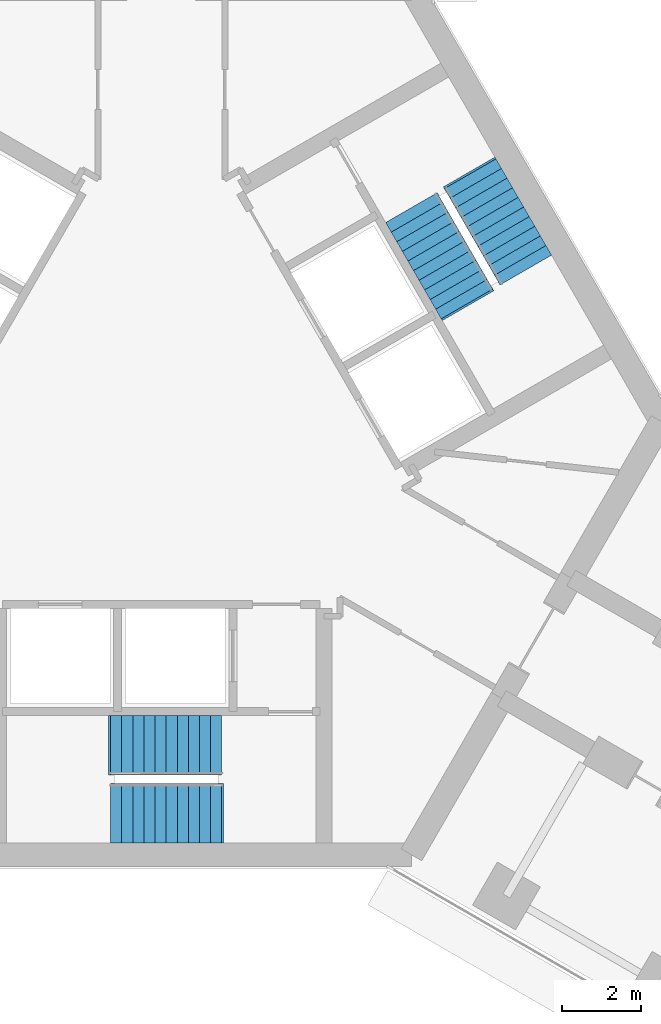
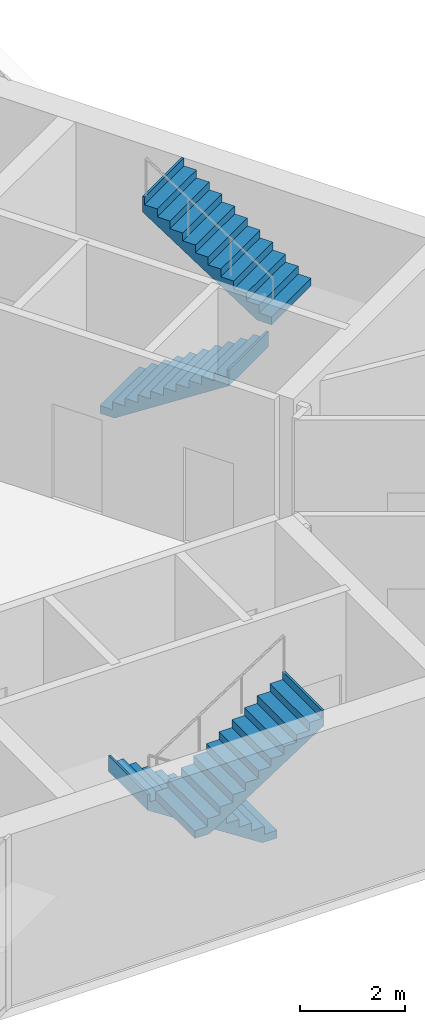
# One storey, part 22 of 23: 4 stair flights, 2 elements without a shape of their own.
"""IFC4 building model written with IfcOpenShell, lengths in metres."""

from ifc_helpers import new_model, si_unit, direction, frame, origin, place, context, subcontext, project, spatial, polyline, outline, extrude, material, type_object, element, aggregate, save


model = new_model("IFC4")

# Units and contexts
model_context = context("Model", 3, precision=1e-05, world=origin(), true_north=direction((0.0, 1.0)))
body_context = subcontext(model_context, "Body", "Model", "MODEL_VIEW")
ifc_project = project(units=[si_unit("LENGTHUNIT", "METRE"), si_unit("AREAUNIT", "SQUARE_METRE"), si_unit("VOLUMEUNIT", "CUBIC_METRE"), si_unit("PLANEANGLEUNIT", "RADIAN"), si_unit("MASSUNIT", "GRAM", prefix="KILO")], contexts=[model_context])

# Site, building, storey
site_placement = place(None, origin())
site = spatial("IfcSite", under=ifc_project, at=site_placement, CompositionType="ELEMENT")
building_placement = place(site_placement, origin())
building = spatial("IfcBuilding", under=site, at=building_placement, Name="Upepo Twin Towers", CompositionType="ELEMENT")
storey_placement = place(building_placement, frame((0.0, 0.0, 153.5)))
storey = spatial("IfcBuildingStorey", under=building, at=storey_placement, Name="L37", CompositionType="ELEMENT", Elevation=153.5)

# Stair, stair flights
ifc_material_1 = material(Name="Concrete C40/50", Category="concrete")
stair_type = type_object("IfcStairType", Name="Core stair, two flights", PredefinedType="HALF_TURN_STAIR", material=ifc_material_1)
stair_1_placement = place(storey_placement, origin())
stair_1 = element("IfcStair", 1, at=stair_1_placement, inside=storey, type_object=stair_type, Name="T2 stair S1 L37", PredefinedType="HALF_TURN_STAIR")
ifc_material_2 = material(Name="Concrete C40/50", Category="concrete")
stair_flight_type = type_object("IfcStairFlightType", Name="Stair flight 1500 RC", PredefinedType="STRAIGHT", material=ifc_material_2)
stair_flight_1_placement = place(storey_placement, frame((60.02001953125, -26.14990234375, 0.0), z_axis=(0.0, 0.0, 1.0), x_axis=(-1.0, 0.0, 0.0)))
stair_flight_1 = element("IfcStairFlight", 2, at=stair_flight_1_placement, type_object=stair_flight_type, Name="Stair S1 flight 1", NumberOfRisers=11, NumberOfTreads=10, PredefinedType="STRAIGHT", RiserHeight=0.181818182, TreadLength=0.28, context=body_context, shape_type="SweptSolid", body=[
    extrude(outline(polyline([(0.0, 0.0), (0.0, 0.181884765625), (0.280029296875, 0.181884765625), (0.280029296875, 0.363525390625), (0.56005859375, 0.363525390625), (0.56005859375, 0.54541015625), (0.840087890625, 0.54541015625), (0.840087890625, 0.727294921875), (1.1201171875, 0.727294921875), (1.1201171875, 0.9091796875), (1.39990234375, 0.9091796875), (1.39990234375, 1.0908203125), (1.679931640625, 1.0908203125), (1.679931640625, 1.272705078125), (1.9599609375, 1.272705078125), (1.9599609375, 1.45458984375), (2.239990234375, 1.45458984375), (2.239990234375, 1.636474609375), (2.52001953125, 1.636474609375), (2.52001953125, 1.818115234375), (2.800048828125, 1.818115234375), (2.800048828125, 2.0), (2.85009765625, 2.0), (2.85009765625, 1.639404296875), (0.3251953125, 0.0), (0.0, 0.0)])), frame((0.0, 0.75, 0.0), z_axis=(0.0, -1.0, 0.0), x_axis=(1.0, 0.0, 0.0)), (0.0, 0.0, 1.0), 1.5),
])
stair_flight_2_placement = place(storey_placement, frame((57.219970703125, -27.8583984375, 2.0), z_axis=(0.0, 0.0, 1.0), x_axis=(1.0, 0.0, 0.0)))
stair_flight_2 = element("IfcStairFlight", 3, at=stair_flight_2_placement, type_object=stair_flight_type, Name="Stair S1 flight 2", NumberOfRisers=11, NumberOfTreads=10, PredefinedType="STRAIGHT", RiserHeight=0.181818182, TreadLength=0.28, context=body_context, shape_type="SweptSolid", body=[
    extrude(outline(polyline([(0.0, 0.0), (0.0, 0.181884765625), (0.280029296875, 0.181884765625), (0.280029296875, 0.363525390625), (0.56005859375, 0.363525390625), (0.56005859375, 0.54541015625), (0.840087890625, 0.54541015625), (0.840087890625, 0.727294921875), (1.1201171875, 0.727294921875), (1.1201171875, 0.9091796875), (1.39990234375, 0.9091796875), (1.39990234375, 1.0908203125), (1.679931640625, 1.0908203125), (1.679931640625, 1.272705078125), (1.9599609375, 1.272705078125), (1.9599609375, 1.45458984375), (2.239990234375, 1.45458984375), (2.239990234375, 1.636474609375), (2.52001953125, 1.636474609375), (2.52001953125, 1.818115234375), (2.800048828125, 1.818115234375), (2.800048828125, 2.0), (2.85009765625, 2.0), (2.85009765625, 1.639404296875), (0.3251953125, 0.0), (0.0, 0.0)])), frame((0.0, 0.75, 0.0), z_axis=(0.0, -1.0, 0.0), x_axis=(1.0, 0.0, 0.0)), (0.0, 0.0, 1.0), 1.5),
])
aggregate(stair_1, [stair_flight_1, stair_flight_2])

stair_2_placement = place(storey_placement, origin())
stair_2 = element("IfcStair", 4, at=stair_2_placement, inside=storey, type_object=stair_type, Name="T2 stair S2 L37", PredefinedType="HALF_TURN_STAIR")
stair_flight_3_placement = place(storey_placement, frame((64.798095703125, -12.608642578125, 0.0), z_axis=(0.0, 0.0, 1.0), x_axis=(0.5, -0.866025403784, 0.0)))
stair_flight_3 = element("IfcStairFlight", 5, at=stair_flight_3_placement, type_object=stair_flight_type, Name="Stair S2 flight 1", NumberOfRisers=11, NumberOfTreads=10, PredefinedType="STRAIGHT", RiserHeight=0.181818182, TreadLength=0.28, context=body_context, shape_type="SweptSolid", body=[
    extrude(outline(polyline([(0.0, 0.0), (0.0, 0.181884765625), (0.280029296875, 0.181884765625), (0.280029296875, 0.363525390625), (0.56005859375, 0.363525390625), (0.56005859375, 0.54541015625), (0.840087890625, 0.54541015625), (0.840087890625, 0.727294921875), (1.1201171875, 0.727294921875), (1.1201171875, 0.9091796875), (1.39990234375, 0.9091796875), (1.39990234375, 1.0908203125), (1.679931640625, 1.0908203125), (1.679931640625, 1.272705078125), (1.9599609375, 1.272705078125), (1.9599609375, 1.45458984375), (2.239990234375, 1.45458984375), (2.239990234375, 1.636474609375), (2.52001953125, 1.636474609375), (2.52001953125, 1.818115234375), (2.800048828125, 1.818115234375), (2.800048828125, 2.0), (2.85009765625, 2.0), (2.85009765625, 1.639404296875), (0.3251953125, 0.0), (0.0, 0.0)])), frame((0.0, 0.75, 0.0), z_axis=(0.0, -1.0, 0.0), x_axis=(1.0, 0.0, 0.0)), (0.0, 0.0, 1.0), 1.5),
])
stair_flight_4_placement = place(storey_placement, frame((67.677490234375, -14.179443359375, 2.0), z_axis=(0.0, 0.0, 1.0), x_axis=(-0.5, 0.866025403784, 0.0)))
stair_flight_4 = element("IfcStairFlight", 6, at=stair_flight_4_placement, type_object=stair_flight_type, Name="Stair S2 flight 2", NumberOfRisers=11, NumberOfTreads=10, PredefinedType="STRAIGHT", RiserHeight=0.181818182, TreadLength=0.28, context=body_context, shape_type="SweptSolid", body=[
    extrude(outline(polyline([(0.0, 0.0), (0.0, 0.181884765625), (0.280029296875, 0.181884765625), (0.280029296875, 0.363525390625), (0.56005859375, 0.363525390625), (0.56005859375, 0.54541015625), (0.840087890625, 0.54541015625), (0.840087890625, 0.727294921875), (1.1201171875, 0.727294921875), (1.1201171875, 0.9091796875), (1.39990234375, 0.9091796875), (1.39990234375, 1.0908203125), (1.679931640625, 1.0908203125), (1.679931640625, 1.272705078125), (1.9599609375, 1.272705078125), (1.9599609375, 1.45458984375), (2.239990234375, 1.45458984375), (2.239990234375, 1.636474609375), (2.52001953125, 1.636474609375), (2.52001953125, 1.818115234375), (2.800048828125, 1.818115234375), (2.800048828125, 2.0), (2.85009765625, 2.0), (2.85009765625, 1.639404296875), (0.3251953125, 0.0), (0.0, 0.0)])), frame((0.0, 0.75, 0.0), z_axis=(0.0, -1.0, 0.0), x_axis=(1.0, 0.0, 0.0)), (0.0, 0.0, 1.0), 1.5),
])
aggregate(stair_2, [stair_flight_3, stair_flight_4])

save(model, "model.ifc")
